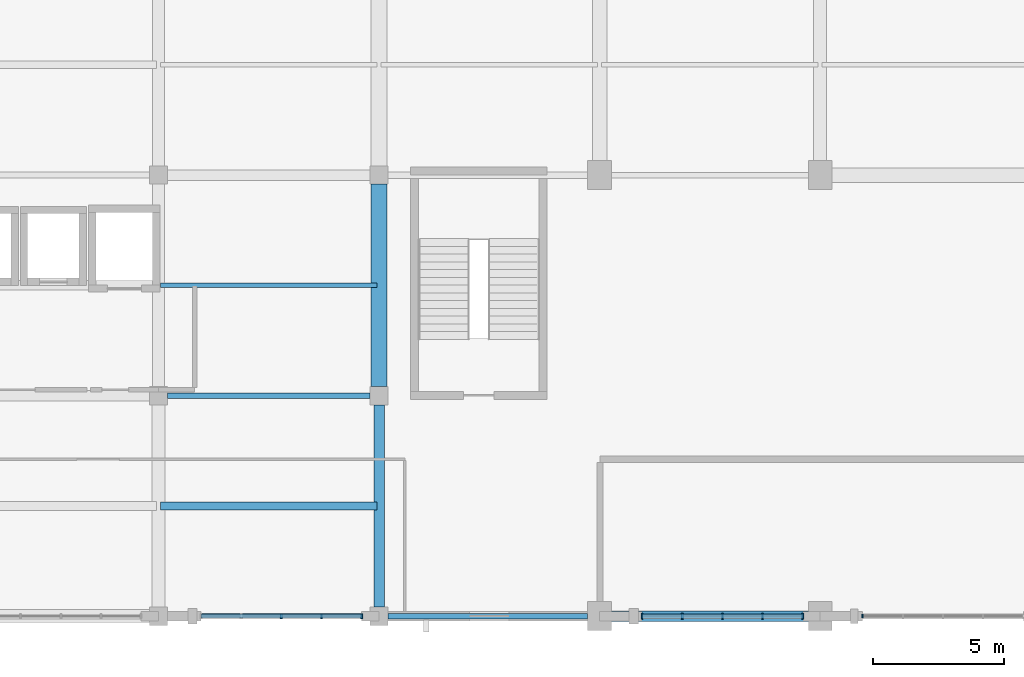
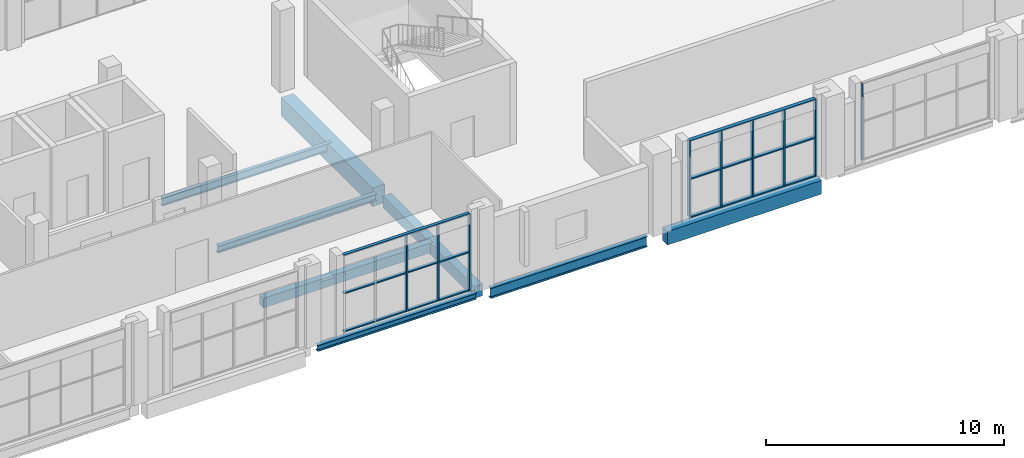
# One storey, part 22 of 64: 15 members, 8 beams, 3 elements without a shape of their own.
"""IFC4 building model written with IfcOpenShell, lengths in metres."""

import ifcopenshell
import ifcopenshell.guid

model = None  # the IFC model being written
_history = None  # IfcOwnerHistory: only IFC2X3 demands one
_inside = {}  # id of a spatial element -> (the spatial element, [elements in it])
_under = {}  # id of a project, library or spatial element -> (it, [spatial elements below it])
_declared = {}  # id of a project -> (the project, [libraries it declares])
_typed = {}  # id of a type object -> (the type object, [elements of that type])
_made_of = {}  # id of a material, layer set ... -> (it, [elements and type objects made of it])


def new_model(schema):
    """Start an empty IFC model of exactly this schema.

    Asked for "IFC4X3", IfcOpenShell would pick the latest addendum, in which some entities
    have other attributes; the version numbers below select the first issue.
    IFC2X3 requires an IfcOwnerHistory on every rooted entity: one is made here for all.
    """
    global model, _history
    if schema == "IFC4X3":
        model = ifcopenshell.file(schema_version=(4, 3, 0, 0))
    else:
        model = ifcopenshell.file(schema=schema)
    _inside.clear()
    _under.clear()
    _declared.clear()
    _typed.clear()
    _made_of.clear()
    _history = None
    if model.schema == "IFC2X3":
        org = make("IfcOrganization", Name="unknown")
        user = make(
            "IfcPersonAndOrganization",
            ThePerson=make("IfcPerson", FamilyName="unknown"),
            TheOrganization=org,
        )
        app = make(
            "IfcApplication",
            ApplicationDeveloper=org,
            Version="unknown",
            ApplicationFullName="unknown",
            ApplicationIdentifier="unknown",
        )
        _history = make(
            "IfcOwnerHistory",
            OwningUser=user,
            OwningApplication=app,
            ChangeAction="ADDED",
            CreationDate=0,
        )
    return model


def make(cls, **values):
    """One entity of the class cls with the attributes given. An attribute that is None is left unset."""
    return model.create_entity(
        cls, **{name: value for name, value in values.items() if value is not None}
    )


def rooted(cls, **values):
    """An entity with a GlobalId (a new one), such as an element, a storey or a relation."""
    return make(cls, GlobalId=ifcopenshell.guid.new(), OwnerHistory=_history, **values)


def si_unit(unit_type, name, prefix=None):
    """IfcSIUnit, for example si_unit("LENGTHUNIT", "METRE", prefix="MILLI")."""
    return make("IfcSIUnit", UnitType=unit_type, Prefix=prefix, Name=name)


def derived_unit(unit_type, elements):
    """IfcDerivedUnit: a product of units, each with its exponent."""
    return make(
        "IfcDerivedUnit",
        Elements=[
            make("IfcDerivedUnitElement", Unit=unit, Exponent=power)
            for unit, power in elements
        ],
        UnitType=unit_type,
    )


def assignment(units):
    """IfcUnitAssignment: the units of a project."""
    return None if units is None else make("IfcUnitAssignment", Units=units)


def point(xyz):
    """IfcCartesianPoint."""
    return None if xyz is None else make("IfcCartesianPoint", Coordinates=xyz)


def direction(xyz):
    """IfcDirection."""
    return None if xyz is None else make("IfcDirection", DirectionRatios=xyz)


def frame(location, z_axis=None, x_axis=None):
    """IfcAxis2Placement3D, a coordinate frame: its origin and axes. An axis left out is left unset."""
    return make(
        "IfcAxis2Placement3D",
        Location=point(location),
        Axis=direction(z_axis),
        RefDirection=direction(x_axis),
    )


def frame_2d(location, x_axis=None):
    """IfcAxis2Placement2D, a coordinate frame in the plane: its origin and x axis."""
    return make(
        "IfcAxis2Placement2D", Location=point(location), RefDirection=direction(x_axis)
    )


def origin():
    """The frame at (0, 0, 0) with its axes left unset."""
    return frame((0.0, 0.0, 0.0))


def origin_2d():
    """The frame at (0, 0) in the plane with its x axis left unset."""
    return frame_2d((0.0, 0.0))


def place(relative_to, where):
    """IfcLocalPlacement: puts the frame where relative to a parent placement (None: the world)."""
    return make(
        "IfcLocalPlacement", PlacementRelTo=relative_to, RelativePlacement=where
    )


def context(
    kind, dimensions, precision=None, world=None, true_north=None, identifier=None
):
    """IfcGeometricRepresentationContext, for example the 3D "Model" context."""
    return make(
        "IfcGeometricRepresentationContext",
        ContextIdentifier=identifier,
        ContextType=kind,
        CoordinateSpaceDimension=dimensions,
        Precision=precision,
        WorldCoordinateSystem=world,
        TrueNorth=true_north,
    )


def subcontext(parent, identifier, kind, view, scale=None):
    """IfcGeometricRepresentationSubContext, for example "Body" below "Model"."""
    return make(
        "IfcGeometricRepresentationSubContext",
        ContextIdentifier=identifier,
        ContextType=kind,
        ParentContext=parent,
        TargetScale=scale,
        TargetView=view,
    )


def project(units=None, contexts=None):
    """IfcProject with its units and contexts."""
    return rooted(
        "IfcProject",
        Name="project",
        RepresentationContexts=contexts,
        UnitsInContext=assignment(units),
    )


def spatial(cls, under=None, at=None, **own):
    """A site, building, storey or space (cls), placed at a placement, below another one or the project."""
    s = rooted(cls, ObjectPlacement=at, **own)
    if under is not None:
        _under.setdefault(under.id(), (under, []))[1].append(s)
    return s


def profile(cls, at=None, kind="AREA", **sizes):
    """A parametric profile (cls). Its sizes go by their IFC names, for example OverallWidth=200.0."""
    return make(cls, ProfileType=kind, Position=at, **sizes)


def rectangle(**sizes):
    """IfcRectangleProfileDef."""
    return profile("IfcRectangleProfileDef", **sizes)


def i_section(**sizes):
    """IfcIShapeProfileDef."""
    return profile("IfcIShapeProfileDef", **sizes)


def extrude(swept, where, along, depth):
    """IfcExtrudedAreaSolid: the profile swept, set in the frame where, extruded along a direction by depth."""
    return make(
        "IfcExtrudedAreaSolid",
        SweptArea=swept,
        Position=where,
        ExtrudedDirection=direction(along),
        Depth=depth,
    )


def shape(context_of_items, identifier, shape_type, items):
    """IfcShapeRepresentation: the items that make up one representation, for example the "Body"."""
    return make(
        "IfcShapeRepresentation",
        ContextOfItems=context_of_items,
        RepresentationIdentifier=identifier,
        RepresentationType=shape_type,
        Items=items,
    )


def material(Name=None, Category=None):
    """IfcMaterial."""
    return make("IfcMaterial", Name=Name, Category=Category)


def material_profile(
    of_material, cross_section, Name=None, Category=None, Priority=None
):
    """IfcMaterialProfile: a cross section and its material."""
    return make(
        "IfcMaterialProfile",
        Name=Name,
        Material=of_material,
        Profile=cross_section,
        Priority=Priority,
        Category=Category,
    )


def profile_set(profiles, Name=None, composite=None):
    """IfcMaterialProfileSet."""
    return make(
        "IfcMaterialProfileSet",
        Name=Name,
        MaterialProfiles=profiles,
        CompositeProfile=composite,
    )


def made_of(thing, what):
    """Note that an element or type object is made of a material, layer set ...; save() writes the relation."""
    if what is not None:
        _made_of.setdefault(what.id(), (what, []))[1].append(thing)
    return thing


def type_object(cls, material=None, **own):
    """A type object (cls), such as IfcWallType, which elements share."""
    return made_of(rooted(cls, **own), material)


def element(
    cls,
    number,
    at=None,
    inside=None,
    cuts=None,
    type_object=None,
    material=None,
    context=None,
    identifier="Body",
    shape_type=None,
    held_by="IfcProductDefinitionShape",
    body=None,
    shapes=None,
    **own,
):
    """One element of the class cls, such as IfcWall. Its Tag is "e" and its number.

    at: its placement. inside: the storey or other place that contains it. cuts: it is an
    opening in that element (IfcRelVoidsElement). A single representation is given by context,
    identifier, shape_type and body (its items); several are given by shapes. held_by: the class
    of the entity that holds the representations. save() writes the other relations.
    """
    e = rooted(cls, Tag="e%d" % number, ObjectPlacement=at, **own)
    if body is not None:
        shapes = [shape(context, identifier, shape_type, body)]
    if shapes is not None:
        e.Representation = make(held_by, Representations=shapes)
    if inside is not None:
        _inside.setdefault(inside.id(), (inside, []))[1].append(e)
    if cuts is not None:
        rooted(
            "IfcRelVoidsElement", RelatingBuildingElement=cuts, RelatedOpeningElement=e
        )
    if type_object is not None:
        _typed.setdefault(type_object.id(), (type_object, []))[1].append(e)
    return made_of(e, material)


def aggregate(whole, parts):
    """IfcRelAggregates: a whole, such as a stair, and the parts it consists of."""
    return rooted("IfcRelAggregates", RelatingObject=whole, RelatedObjects=parts)


def save(model, path):
    """Write the relations noted so far, then the file.

    IfcRelAggregates (storeys below a building ...), IfcRelContainedInSpatialStructure (elements
    in a storey), IfcRelDefinesByType, IfcRelAssociatesMaterial and IfcRelDeclares: one each for
    every whole, place, type object, material and project.
    """
    for whole, parts in _under.values():
        aggregate(whole, parts)
    for where, things in _inside.values():
        rooted(
            "IfcRelContainedInSpatialStructure",
            RelatedElements=things,
            RelatingStructure=where,
        )
    for kind, things in _typed.values():
        rooted("IfcRelDefinesByType", RelatedObjects=things, RelatingType=kind)
    for what, things in _made_of.values():
        rooted("IfcRelAssociatesMaterial", RelatedObjects=things, RelatingMaterial=what)
    for by, libraries in _declared.values():
        rooted("IfcRelDeclares", RelatingContext=by, RelatedDefinitions=libraries)
    model.write(path)


model = new_model("IFC4")

# Units and contexts
model_context = context("Model", 3, precision=1e-05, world=origin(), true_north=direction((0.0, 1.0)))
body_context = subcontext(model_context, "Body", "Model", "MODEL_VIEW")
ifc_project = project(units=[si_unit("LENGTHUNIT", "METRE"), si_unit("AREAUNIT", "SQUARE_METRE"), si_unit("VOLUMEUNIT", "CUBIC_METRE"), si_unit("PLANEANGLEUNIT", "RADIAN"), si_unit("MASSUNIT", "GRAM", prefix="KILO"), derived_unit("THERMALTRANSMITTANCEUNIT", [(si_unit("POWERUNIT", "WATT"), 1), (si_unit("LENGTHUNIT", "METRE"), -2), (si_unit("THERMODYNAMICTEMPERATUREUNIT", "KELVIN"), -1)])], contexts=[model_context])

# Site, building, storey
site_placement = place(None, origin())
site = spatial("IfcSite", under=ifc_project, at=site_placement, CompositionType="ELEMENT")
building_placement = place(site_placement, origin())
building = spatial("IfcBuilding", under=site, at=building_placement, Name="Barrovel Congress Hotel", CompositionType="ELEMENT")
storey_placement = place(building_placement, frame((0.0, 0.0, 14.10009765625)))
storey = spatial("IfcBuildingStorey", under=building, at=storey_placement, Name="L03", CompositionType="ELEMENT", Elevation=14.10009765625)

# Beams
ifc_material_1 = material(Name="Concrete C40", Category="concrete")
ifc_material_profile_1 = material_profile(ifc_material_1, rectangle(XDim=0.300048828125, YDim=0.5, at=origin_2d()), Name="RC300x500")
ifc_profile_set_1 = profile_set([ifc_material_profile_1], Name="Concrete C40")
beam_type_1 = type_object("IfcBeamType", Name="BM-RC300x500", PredefinedType="JOIST", material=ifc_profile_set_1)
beam_1_placement = place(storey_placement, frame((92.47998046875, 8.39990234375, -0.489990234375), z_axis=(1.0, 0.0, 0.0), x_axis=(0.0, 1.0, 0.0)))
element("IfcBeam", 1, at=beam_1_placement, inside=storey, type_object=beam_type_1, Name="JST:L03:92.4:8.4", PredefinedType="JOIST", context=body_context, shape_type="SweptSolid", body=[
    extrude(rectangle(XDim=0.300048828125, YDim=0.5, at=origin_2d()), origin(), (0.0, 0.0, 1.0), 8.239990234375),
])
ifc_material_profile_2 = material_profile(ifc_material_1, rectangle(XDim=0.39990234375, YDim=0.60009765625, at=origin_2d()), Name="RC400x600")
ifc_profile_set_2 = profile_set([ifc_material_profile_2], Name="Concrete C40")
beam_type_2 = type_object("IfcBeamType", Name="BM-RC400x600", PredefinedType="BEAM", material=ifc_profile_set_2)
beam_2_placement = place(storey_placement, frame((100.800048828125, 4.550048828125, -0.5400390625), z_axis=(0.0, 1.0, 0.0), x_axis=(-1.0, 0.0, 0.0)))
element("IfcBeam", 2, at=beam_2_placement, inside=storey, type_object=beam_type_2, Name="BMY:L03:100.8:4.2-12.6", PredefinedType="BEAM", context=body_context, shape_type="SweptSolid", body=[
    extrude(rectangle(XDim=0.39990234375, YDim=0.60009765625, at=origin_2d()), origin(), (0.0, 0.0, 1.0), 7.699951171875),
])
ifc_material_profile_3 = material_profile(ifc_material_1, rectangle(XDim=0.39990234375, YDim=0.699951171875, at=origin_2d()), Name="RC400x700")
ifc_profile_set_3 = profile_set([ifc_material_profile_3], Name="Concrete C40")
beam_type_3 = type_object("IfcBeamType", Name="BM-RC400x700", PredefinedType="BEAM", material=ifc_profile_set_3)
beam_3_placement = place(storey_placement, frame((109.64990234375, 4.199951171875, -0.590087890625), z_axis=(1.0, 0.0, 0.0), x_axis=(0.0, 1.0, 0.0)))
element("IfcBeam", 3, at=beam_3_placement, inside=storey, type_object=beam_type_3, Name="BMX:L03:4.2:109.2-117.6", PredefinedType="BEAM", context=body_context, shape_type="SweptSolid", body=[
    extrude(rectangle(XDim=0.39990234375, YDim=0.699951171875, at=origin_2d()), origin(), (0.0, 0.0, 1.0), 7.5),
])
ifc_material_profile_4 = material_profile(ifc_material_1, rectangle(XDim=0.60009765625, YDim=0.949951171875, at=origin_2d()), Name="RC600x950")
ifc_profile_set_4 = profile_set([ifc_material_profile_4], Name="Concrete C40")
beam_type_4 = type_object("IfcBeamType", Name="BM-RC600x950", PredefinedType="BEAM", material=ifc_profile_set_4)
beam_4_placement = place(storey_placement, frame((100.800048828125, 12.949951171875, -0.715087890625), z_axis=(0.0, 1.0, 0.0), x_axis=(-1.0, 0.0, 0.0)))
element("IfcBeam", 4, at=beam_4_placement, inside=storey, type_object=beam_type_4, Name="BMY:L03:100.8:12.6-21.0", PredefinedType="BEAM", context=body_context, shape_type="SweptSolid", body=[
    extrude(rectangle(XDim=0.60009765625, YDim=0.949951171875, at=origin_2d()), origin(), (0.0, 0.0, 1.0), 7.699951171875),
])

# Curtain wall, member
ifc_material_2 = material(Name="Anodised Aluminium Alloy 6063-T6", Category="aluminium")
curtain_wall_type = type_object("IfcCurtainWallType", Name="CW-ST-7200x3600", PredefinedType="USERDEFINED", material=ifc_material_2)
curtain_wall_1_placement = place(storey_placement, origin())
curtain_wall_1 = element("IfcCurtainWall", 5, at=curtain_wall_1_placement, inside=storey, type_object=curtain_wall_type, Name="CW:L03:S:14", ObjectType="STICK CURTAIN WALL", PredefinedType="USERDEFINED")
ifc_material_profile_5 = material_profile(ifc_material_2, rectangle(XDim=0.06005859375, YDim=0.139892578125, at=origin_2d()), Name="AL-M60x140")
ifc_profile_set_5 = profile_set([ifc_material_profile_5], Name="Anodised Aluminium Alloy 6063-T6")
member_type_1 = type_object("IfcMemberType", Name="CWM-AL-M60x140", PredefinedType="MULLION", material=ifc_profile_set_5)
member_1_placement = place(storey_placement, frame((119.219970703125, 4.199951171875, 0.0), z_axis=(0.0, 0.0, 1.0), x_axis=(1.0, 0.0, 0.0)))
member_1 = element("IfcMember", 6, at=member_1_placement, type_object=member_type_1, Name="CW:L03:S:14:M0", PredefinedType="MULLION", context=body_context, shape_type="SweptSolid", body=[
    extrude(rectangle(XDim=0.06005859375, YDim=0.139892578125, at=origin_2d()), origin(), (0.0, 0.0, 1.0), 3.919921875),
])
aggregate(curtain_wall_1, [member_1])

# Curtain wall, members
curtain_wall_2_placement = place(storey_placement, origin())
curtain_wall_2 = element("IfcCurtainWall", 7, at=curtain_wall_2_placement, inside=storey, type_object=curtain_wall_type, Name="CW:L03:S:11", ObjectType="STICK CURTAIN WALL", PredefinedType="USERDEFINED")
ifc_material_profile_6 = material_profile(ifc_material_2, rectangle(XDim=0.06494140625, YDim=0.18994140625, at=origin_2d()), Name="AL-M65x190")
ifc_profile_set_6 = profile_set([ifc_material_profile_6], Name="Anodised Aluminium Alloy 6063-T6")
member_type_2 = type_object("IfcMemberType", Name="CWM-AL-M65x190", PredefinedType="MULLION", material=ifc_profile_set_6)
member_2_placement = place(storey_placement, frame((97.080078125, 4.199951171875, 0.0), z_axis=(0.0, 0.0, 1.0), x_axis=(1.0, 0.0, 0.0)))
member_2 = element("IfcMember", 8, at=member_2_placement, type_object=member_type_2, Name="CW:L03:S:11:M2", PredefinedType="MULLION", context=body_context, shape_type="SweptSolid", body=[
    extrude(rectangle(XDim=0.06494140625, YDim=0.18994140625, at=origin_2d()), origin(), (0.0, 0.0, 1.0), 3.919921875),
])
member_3_placement = place(storey_placement, frame((98.610107421875, 4.199951171875, 0.0), z_axis=(0.0, 0.0, 1.0), x_axis=(1.0, 0.0, 0.0)))
member_3 = element("IfcMember", 9, at=member_3_placement, type_object=member_type_2, Name="CW:L03:S:11:M3", PredefinedType="MULLION", context=body_context, shape_type="SweptSolid", body=[
    extrude(rectangle(XDim=0.06494140625, YDim=0.18994140625, at=origin_2d()), origin(), (0.0, 0.0, 1.0), 3.919921875),
])
member_4_placement = place(storey_placement, frame((100.139892578125, 4.199951171875, 0.0), z_axis=(0.0, 0.0, 1.0), x_axis=(1.0, 0.0, 0.0)))
member_4 = element("IfcMember", 10, at=member_4_placement, type_object=member_type_2, Name="CW:L03:S:11:M4", PredefinedType="MULLION", context=body_context, shape_type="SweptSolid", body=[
    extrude(rectangle(XDim=0.06494140625, YDim=0.18994140625, at=origin_2d()), origin(), (0.0, 0.0, 1.0), 3.919921875),
])

curtain_wall_3_placement = place(storey_placement, origin())
curtain_wall_3 = element("IfcCurtainWall", 11, at=curtain_wall_3_placement, inside=storey, type_object=curtain_wall_type, Name="CW:L03:S:13", ObjectType="STICK CURTAIN WALL", PredefinedType="USERDEFINED")
ifc_material_profile_7 = material_profile(ifc_material_2, rectangle(XDim=0.06494140625, YDim=0.219970703125, at=origin_2d()), Name="AL-M65x220")
ifc_profile_set_7 = profile_set([ifc_material_profile_7], Name="Anodised Aluminium Alloy 6063-T6")
member_type_3 = type_object("IfcMemberType", Name="CWM-AL-M65x220", PredefinedType="MULLION", material=ifc_profile_set_7)
member_5_placement = place(storey_placement, frame((110.820068359375, 4.199951171875, 0.0), z_axis=(0.0, 0.0, 1.0), x_axis=(1.0, 0.0, 0.0)))
member_5 = element("IfcMember", 12, at=member_5_placement, type_object=member_type_3, Name="CW:L03:S:13:M0", PredefinedType="MULLION", context=body_context, shape_type="SweptSolid", body=[
    extrude(rectangle(XDim=0.06494140625, YDim=0.219970703125, at=origin_2d()), origin(), (0.0, 0.0, 1.0), 3.919921875),
])
member_6_placement = place(storey_placement, frame((112.35009765625, 4.199951171875, 0.0), z_axis=(0.0, 0.0, 1.0), x_axis=(1.0, 0.0, 0.0)))
member_6 = element("IfcMember", 13, at=member_6_placement, type_object=member_type_3, Name="CW:L03:S:13:M1", PredefinedType="MULLION", context=body_context, shape_type="SweptSolid", body=[
    extrude(rectangle(XDim=0.06494140625, YDim=0.219970703125, at=origin_2d()), origin(), (0.0, 0.0, 1.0), 3.919921875),
])
member_7_placement = place(storey_placement, frame((113.8798828125, 4.199951171875, 0.0), z_axis=(0.0, 0.0, 1.0), x_axis=(1.0, 0.0, 0.0)))
member_7 = element("IfcMember", 14, at=member_7_placement, type_object=member_type_3, Name="CW:L03:S:13:M2", PredefinedType="MULLION", context=body_context, shape_type="SweptSolid", body=[
    extrude(rectangle(XDim=0.06494140625, YDim=0.219970703125, at=origin_2d()), origin(), (0.0, 0.0, 1.0), 3.919921875),
])
member_8_placement = place(storey_placement, frame((115.409912109375, 4.199951171875, 0.0), z_axis=(0.0, 0.0, 1.0), x_axis=(1.0, 0.0, 0.0)))
member_8 = element("IfcMember", 15, at=member_8_placement, type_object=member_type_3, Name="CW:L03:S:13:M3", PredefinedType="MULLION", context=body_context, shape_type="SweptSolid", body=[
    extrude(rectangle(XDim=0.06494140625, YDim=0.219970703125, at=origin_2d()), origin(), (0.0, 0.0, 1.0), 3.919921875),
])
member_9_placement = place(storey_placement, frame((116.93994140625, 4.199951171875, 0.0), z_axis=(0.0, 0.0, 1.0), x_axis=(1.0, 0.0, 0.0)))
member_9 = element("IfcMember", 16, at=member_9_placement, type_object=member_type_3, Name="CW:L03:S:13:M4", PredefinedType="MULLION", context=body_context, shape_type="SweptSolid", body=[
    extrude(rectangle(XDim=0.06494140625, YDim=0.219970703125, at=origin_2d()), origin(), (0.0, 0.0, 1.0), 3.919921875),
])

# Member
ifc_material_profile_8 = material_profile(ifc_material_2, rectangle(XDim=0.14990234375, YDim=0.06494140625, at=origin_2d()), Name="AL-T65x150")
ifc_profile_set_8 = profile_set([ifc_material_profile_8], Name="Anodised Aluminium Alloy 6063-T6")
member_type_4 = type_object("IfcMemberType", Name="CWT-AL-T65x150", PredefinedType="USERDEFINED", material=ifc_profile_set_8)
member_10_placement = place(storey_placement, frame((94.02001953125, 4.199951171875, 0.0), z_axis=(1.0, 0.0, 0.0), x_axis=(0.0, 1.0, 0.0)))
member_10 = element("IfcMember", 17, at=member_10_placement, type_object=member_type_4, Name="CW:L03:S:11:T0", ObjectType="TRANSOM", PredefinedType="USERDEFINED", context=body_context, shape_type="SweptSolid", body=[
    extrude(rectangle(XDim=0.14990234375, YDim=0.06494140625, at=origin_2d()), origin(), (0.0, 0.0, 1.0), 6.119873046875),
])

member_11_placement = place(storey_placement, frame((94.02001953125, 4.199951171875, 1.9599609375), z_axis=(1.0, 0.0, 0.0), x_axis=(0.0, 1.0, 0.0)))
member_11 = element("IfcMember", 18, at=member_11_placement, type_object=member_type_4, Name="CW:L03:S:11:T1", ObjectType="TRANSOM", PredefinedType="USERDEFINED", context=body_context, shape_type="SweptSolid", body=[
    extrude(rectangle(XDim=0.14990234375, YDim=0.06494140625, at=origin_2d()), origin(), (0.0, 0.0, 1.0), 6.119873046875),
])

member_12_placement = place(storey_placement, frame((94.02001953125, 4.199951171875, 3.919921875), z_axis=(1.0, 0.0, 0.0), x_axis=(0.0, 1.0, 0.0)))
member_12 = element("IfcMember", 19, at=member_12_placement, type_object=member_type_4, Name="CW:L03:S:11:T2", ObjectType="TRANSOM", PredefinedType="USERDEFINED", context=body_context, shape_type="SweptSolid", body=[
    extrude(rectangle(XDim=0.14990234375, YDim=0.06494140625, at=origin_2d()), origin(), (0.0, 0.0, 1.0), 6.119873046875),
])

aggregate(curtain_wall_2, [member_2, member_3, member_4, member_10, member_11, member_12])

ifc_material_profile_9 = material_profile(ifc_material_2, rectangle(XDim=0.179931640625, YDim=0.06494140625, at=origin_2d()), Name="AL-T65x180")
ifc_profile_set_9 = profile_set([ifc_material_profile_9], Name="Anodised Aluminium Alloy 6063-T6")
member_type_5 = type_object("IfcMemberType", Name="CWT-AL-T65x180", PredefinedType="USERDEFINED", material=ifc_profile_set_9)
member_13_placement = place(storey_placement, frame((110.820068359375, 4.199951171875, 0.0), z_axis=(1.0, 0.0, 0.0), x_axis=(0.0, 1.0, 0.0)))
member_13 = element("IfcMember", 20, at=member_13_placement, type_object=member_type_5, Name="CW:L03:S:13:T0", ObjectType="TRANSOM", PredefinedType="USERDEFINED", context=body_context, shape_type="SweptSolid", body=[
    extrude(rectangle(XDim=0.179931640625, YDim=0.06494140625, at=origin_2d()), origin(), (0.0, 0.0, 1.0), 6.119873046875),
])

member_14_placement = place(storey_placement, frame((110.820068359375, 4.199951171875, 1.9599609375), z_axis=(1.0, 0.0, 0.0), x_axis=(0.0, 1.0, 0.0)))
member_14 = element("IfcMember", 21, at=member_14_placement, type_object=member_type_5, Name="CW:L03:S:13:T1", ObjectType="TRANSOM", PredefinedType="USERDEFINED", context=body_context, shape_type="SweptSolid", body=[
    extrude(rectangle(XDim=0.179931640625, YDim=0.06494140625, at=origin_2d()), origin(), (0.0, 0.0, 1.0), 6.119873046875),
])

member_15_placement = place(storey_placement, frame((110.820068359375, 4.199951171875, 3.919921875), z_axis=(1.0, 0.0, 0.0), x_axis=(0.0, 1.0, 0.0)))
member_15 = element("IfcMember", 22, at=member_15_placement, type_object=member_type_5, Name="CW:L03:S:13:T2", ObjectType="TRANSOM", PredefinedType="USERDEFINED", context=body_context, shape_type="SweptSolid", body=[
    extrude(rectangle(XDim=0.179931640625, YDim=0.06494140625, at=origin_2d()), origin(), (0.0, 0.0, 1.0), 6.119873046875),
])

aggregate(curtain_wall_3, [member_5, member_6, member_7, member_8, member_9, member_13, member_14, member_15])

# Beams
ifc_material_3 = material(Name="Steel ASTM A992 Grade 50", Category="steel")
ifc_material_profile_10 = material_profile(ifc_material_3, i_section(OverallWidth=0.205078125, OverallDepth=0.31005859375, WebThickness=0.009521484375, FlangeThickness=0.016357421875, FilletRadius=0.012939453125, at=origin_2d()), Name="W310x74")
ifc_profile_set_10 = profile_set([ifc_material_profile_10], Name="Steel ASTM A992 Grade 50")
beam_type_5 = type_object("IfcBeamType", Name="SBM-W310x74", PredefinedType="SPANDREL", material=ifc_profile_set_10)
beam_5_placement = place(storey_placement, frame((92.75, 4.199951171875, -0.39501953125), z_axis=(1.0, 0.0, 0.0), x_axis=(0.0, 1.0, 0.0)))
element("IfcBeam", 23, at=beam_5_placement, inside=storey, type_object=beam_type_5, Name="BMX:L03:4.2:92.4-100.8", PredefinedType="SPANDREL", context=body_context, shape_type="SweptSolid", body=[
    extrude(i_section(OverallWidth=0.205078125, OverallDepth=0.31005859375, WebThickness=0.009521484375, FlangeThickness=0.016357421875, FilletRadius=0.012939453125, at=origin_2d()), origin(), (0.0, 0.0, 1.0), 7.699951171875),
])
ifc_material_profile_11 = material_profile(ifc_material_3, i_section(OverallWidth=0.205078125, OverallDepth=0.35400390625, WebThickness=0.009521484375, FlangeThickness=0.016845703125, FilletRadius=0.012939453125, at=origin_2d()), Name="W360x79")
ifc_profile_set_11 = profile_set([ifc_material_profile_11], Name="Steel ASTM A992 Grade 50")
beam_type_6 = type_object("IfcBeamType", Name="SBM-W360x79", PredefinedType="BEAM", material=ifc_profile_set_11)
beam_6_placement = place(storey_placement, frame((92.75, 12.60009765625, -0.4169921875), z_axis=(1.0, 0.0, 0.0), x_axis=(0.0, 1.0, 0.0)))
element("IfcBeam", 24, at=beam_6_placement, inside=storey, type_object=beam_type_6, Name="BMX:L03:12.6:92.4-100.8", PredefinedType="BEAM", context=body_context, shape_type="SweptSolid", body=[
    extrude(i_section(OverallWidth=0.205078125, OverallDepth=0.35400390625, WebThickness=0.009521484375, FlangeThickness=0.016845703125, FilletRadius=0.012939453125, at=origin_2d()), origin(), (0.0, 0.0, 1.0), 7.699951171875),
])
ifc_material_profile_12 = material_profile(ifc_material_3, i_section(OverallWidth=0.177001953125, OverallDepth=0.403076171875, WebThickness=0.007568359375, FlangeThickness=0.010986328125, FilletRadius=0.011962890625, at=origin_2d()), Name="W410x53")
ifc_profile_set_12 = profile_set([ifc_material_profile_12], Name="Steel ASTM A992 Grade 50")
beam_type_7 = type_object("IfcBeamType", Name="SBM-W410x53", PredefinedType="JOIST", material=ifc_profile_set_12)
beam_7_placement = place(storey_placement, frame((92.47998046875, 16.800048828125, -0.441650390625), z_axis=(1.0, 0.0, 0.0), x_axis=(0.0, 1.0, 0.0)))
element("IfcBeam", 25, at=beam_7_placement, inside=storey, type_object=beam_type_7, Name="JST:L03:92.4:16.8", PredefinedType="JOIST", context=body_context, shape_type="SweptSolid", body=[
    extrude(i_section(OverallWidth=0.177001953125, OverallDepth=0.403076171875, WebThickness=0.007568359375, FlangeThickness=0.010986328125, FilletRadius=0.011962890625, at=origin_2d()), origin(), (0.0, 0.0, 1.0), 8.239990234375),
])
ifc_material_profile_13 = material_profile(ifc_material_3, i_section(OverallWidth=0.208984375, OverallDepth=0.529052734375, WebThickness=0.009765625, FlangeThickness=0.013671875, FilletRadius=0.013916015625, at=origin_2d()), Name="W530x74")
ifc_profile_set_13 = profile_set([ifc_material_profile_13], Name="Steel ASTM A992 Grade 50")
beam_type_8 = type_object("IfcBeamType", Name="SBM-W530x74", PredefinedType="BEAM", material=ifc_profile_set_13)
beam_8_placement = place(storey_placement, frame((101.14990234375, 4.199951171875, -0.504638671875), z_axis=(1.0, 0.0, 0.0), x_axis=(0.0, 1.0, 0.0)))
element("IfcBeam", 26, at=beam_8_placement, inside=storey, type_object=beam_type_8, Name="BMX:L03:4.2:100.8-109.2", PredefinedType="BEAM", context=body_context, shape_type="SweptSolid", body=[
    extrude(i_section(OverallWidth=0.208984375, OverallDepth=0.529052734375, WebThickness=0.009765625, FlangeThickness=0.013671875, FilletRadius=0.013916015625, at=origin_2d()), origin(), (0.0, 0.0, 1.0), 7.60009765625),
])

save(model, "model.ifc")
